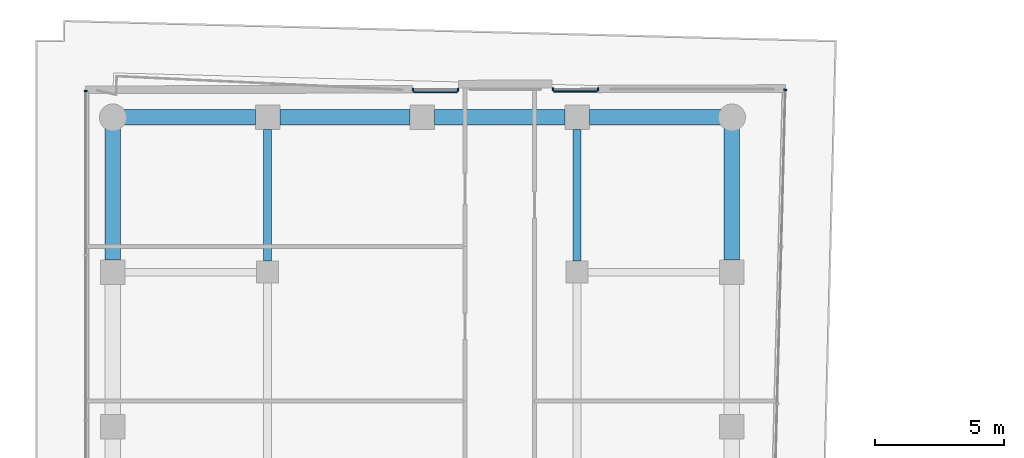
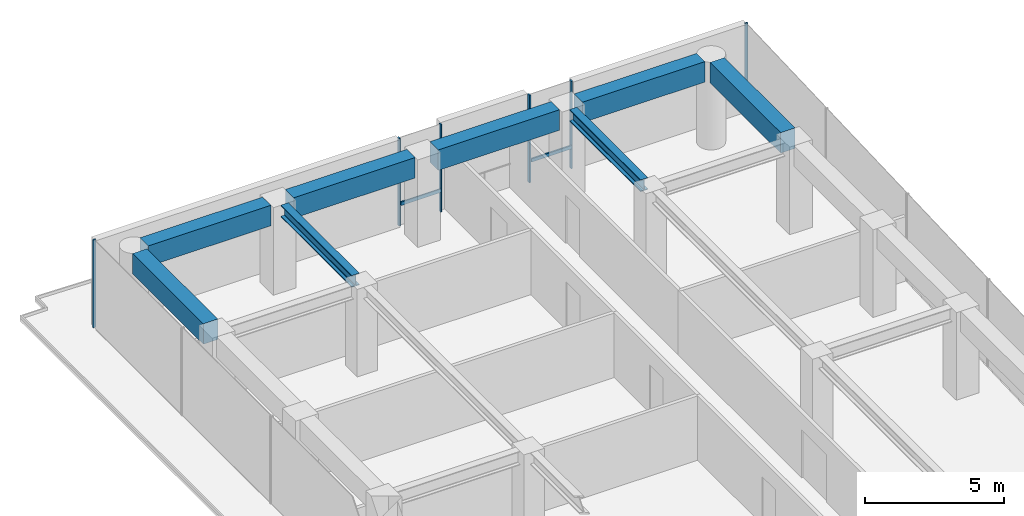
# One storey, part 21 of 28: 8 beams, 8 members, 4 elements without a shape of their own.
"""IFC4 building model written with IfcOpenShell, lengths in metres."""

from ifc_helpers import new_model, si_unit, direction, frame, origin, origin_2d, place, context, subcontext, project, spatial, rectangle, i_section, extrude, material, layer, layer_set, material_profile, profile_set, type_object, element, aggregate, save


model = new_model("IFC4")

# Units and contexts
model_context = context("Model", 3, precision=1e-05, world=origin(), true_north=direction((0.0, 1.0)))
body_context = subcontext(model_context, "Body", "Model", "MODEL_VIEW")
ifc_project = project(units=[si_unit("LENGTHUNIT", "METRE"), si_unit("AREAUNIT", "SQUARE_METRE"), si_unit("VOLUMEUNIT", "CUBIC_METRE"), si_unit("PLANEANGLEUNIT", "RADIAN"), si_unit("MASSUNIT", "GRAM", prefix="KILO")], contexts=[model_context])

# Site, building, storey
site_placement = place(None, origin())
site = spatial("IfcSite", under=ifc_project, at=site_placement, CompositionType="ELEMENT")
building_placement = place(site_placement, origin())
building = spatial("IfcBuilding", under=site, at=building_placement, Name="Welwitschia Terrace Campus", CompositionType="ELEMENT")
storey_placement = place(building_placement, frame((0.0, 0.0, 45.800048828125)))
storey = spatial("IfcBuildingStorey", under=building, at=storey_placement, Name="L10", CompositionType="ELEMENT", Elevation=45.800048828125)

# Beams
ifc_material_1 = material(Name="Steel S355", Category="steel")
ifc_material_profile_1 = material_profile(ifc_material_1, i_section(OverallWidth=0.305908203125, OverallDepth=0.52392578125, WebThickness=0.02099609375, FlangeThickness=0.0400390625, FilletRadius=0.027099609375, at=origin_2d()))
ifc_profile_set_1 = profile_set([ifc_material_profile_1], Name="Steel S355")
beam_type_1 = type_object("IfcBeamType", Name="Interior girder HE 500 M", PredefinedType="BEAM", material=ifc_profile_set_1)
for number, where, z_axis, x_axis, name in (
    (1, (6.0, 56.425537109375, 3.587890625), (0.0, 1.0, 0.0), (-1.0, 0.0, 0.0), "Girder GB2"),
    (2, (18.0, 56.425537109375, 3.587890625), (0.0, 1.0, 0.0), (-1.0, 0.0, 0.0), "Girder GB2"),
):
    element("IfcBeam", number, at=place(storey_placement, frame(where, z_axis=z_axis, x_axis=x_axis)), inside=storey, type_object=beam_type_1, Name=name, PredefinedType="BEAM", context=body_context, shape_type="SweptSolid", body=[
        extrude(i_section(OverallWidth=0.305908203125, OverallDepth=0.52392578125, WebThickness=0.02099609375, FlangeThickness=0.0400390625, FilletRadius=0.027099609375, at=origin_2d()), origin(), (0.0, 0.0, 1.0), 5.10888671875),
    ])

# Curtain wall, member
ifc_material_2 = material(Name="Bronze anodised aluminium", Category="aluminium")
ifc_layer = layer(ifc_material_2, 0.1201171875)
ifc_layer_set = layer_set([ifc_layer], Name="Bronze anodised aluminium")
curtain_wall_type = type_object("IfcCurtainWallType", Name="Curtain wall CW2 tower 6000", PredefinedType="NOTDEFINED", material=ifc_layer_set)
curtain_wall_1_placement = place(storey_placement, origin())
curtain_wall_1 = element("IfcCurtainWall", 3, at=curtain_wall_1_placement, inside=storey, type_object=curtain_wall_type, Name="CW L10.9.0", PredefinedType="NOTDEFINED")
ifc_material_3 = material(Name="Bronze anodised aluminium", Category="aluminium")
ifc_material_profile_2 = material_profile(ifc_material_3, rectangle(XDim=0.1201171875, YDim=0.06005859375, at=origin_2d()))
ifc_profile_set_2 = profile_set([ifc_material_profile_2], Name="Bronze anodised aluminium")
member_type_1 = type_object("IfcMemberType", Name="Mullion 60x120", PredefinedType="MULLION", material=ifc_profile_set_2)
member_1_placement = place(storey_placement, frame((26.072998046875, 63.072509765625, 0.0), z_axis=(0.0, 0.0, 1.0), x_axis=(-0.999657324976, 0.026176948308, 0.0)))
member_1 = element("IfcMember", 4, at=member_1_placement, type_object=member_type_1, Name="Mullion L10.9.0.6", PredefinedType="MULLION", context=body_context, shape_type="SweptSolid", body=[
    extrude(rectangle(XDim=0.1201171875, YDim=0.06005859375, at=origin_2d()), origin(), (0.0, 0.0, 1.0), 3.849853515625),
])
aggregate(curtain_wall_1, [member_1])

# Curtain wall, members
curtain_wall_2_placement = place(storey_placement, origin())
curtain_wall_2 = element("IfcCurtainWall", 5, at=curtain_wall_2_placement, inside=storey, type_object=curtain_wall_type, Name="CW L10.10.S0", PredefinedType="NOTDEFINED")
member_2_placement = place(storey_placement, frame((18.80419921875, 63.090087890625, 0.0), z_axis=(0.0, 0.0, 1.0), x_axis=(0.001706245528, -0.999998544362, 0.0)))
member_2 = element("IfcMember", 6, at=member_2_placement, type_object=member_type_1, Name="Mullion L10.10.S0.0", PredefinedType="MULLION", context=body_context, shape_type="SweptSolid", body=[
    extrude(rectangle(XDim=0.1201171875, YDim=0.06005859375, at=origin_2d()), origin(), (0.0, 0.0, 1.0), 3.849853515625),
])
member_3_placement = place(storey_placement, frame((17.064208984375, 63.087158203125, 0.0), z_axis=(0.0, 0.0, 1.0), x_axis=(0.001706245528, -0.999998544362, 0.0)))
member_3 = element("IfcMember", 7, at=member_3_placement, type_object=member_type_1, Name="Mullion L10.10.S0.1", PredefinedType="MULLION", context=body_context, shape_type="SweptSolid", body=[
    extrude(rectangle(XDim=0.1201171875, YDim=0.06005859375, at=origin_2d()), origin(), (0.0, 0.0, 1.0), 3.849853515625),
])

curtain_wall_3_placement = place(storey_placement, origin())
curtain_wall_3 = element("IfcCurtainWall", 8, at=curtain_wall_3_placement, inside=storey, type_object=curtain_wall_type, Name="CW L10.10.S1", PredefinedType="NOTDEFINED")
member_4_placement = place(storey_placement, frame((13.3779296875, 63.080810546875, 0.0), z_axis=(0.0, 0.0, 1.0), x_axis=(0.001706245528, -0.999998544362, 0.0)))
member_4 = element("IfcMember", 9, at=member_4_placement, type_object=member_type_1, Name="Mullion L10.10.S1.0", PredefinedType="MULLION", context=body_context, shape_type="SweptSolid", body=[
    extrude(rectangle(XDim=0.1201171875, YDim=0.06005859375, at=origin_2d()), origin(), (0.0, 0.0, 1.0), 3.849853515625),
])
member_5_placement = place(storey_placement, frame((11.637939453125, 63.077880859375, 0.0), z_axis=(0.0, 0.0, 1.0), x_axis=(0.001706245528, -0.999998544362, 0.0)))
member_5 = element("IfcMember", 10, at=member_5_placement, type_object=member_type_1, Name="Mullion L10.10.S1.1", PredefinedType="MULLION", context=body_context, shape_type="SweptSolid", body=[
    extrude(rectangle(XDim=0.1201171875, YDim=0.06005859375, at=origin_2d()), origin(), (0.0, 0.0, 1.0), 3.849853515625),
])

# Curtain wall, member
curtain_wall_4_placement = place(storey_placement, origin())
curtain_wall_4 = element("IfcCurtainWall", 11, at=curtain_wall_4_placement, inside=storey, type_object=curtain_wall_type, Name="CW L10.11.0", PredefinedType="NOTDEFINED")
member_6_placement = place(storey_placement, frame((-1.05810546875, 63.0263671875, 0.0), z_axis=(0.0, 0.0, 1.0), x_axis=(1.0, 0.0, 0.0)))
member_6 = element("IfcMember", 12, at=member_6_placement, type_object=member_type_1, Name="Mullion L10.11.0.0", PredefinedType="MULLION", context=body_context, shape_type="SweptSolid", body=[
    extrude(rectangle(XDim=0.1201171875, YDim=0.06005859375, at=origin_2d()), origin(), (0.0, 0.0, 1.0), 3.849853515625),
])
aggregate(curtain_wall_4, [member_6])

# Beams
ifc_material_4 = material(Name="Concrete C60/75", Category="concrete")
ifc_material_profile_3 = material_profile(ifc_material_4, rectangle(XDim=0.60009765625, YDim=0.89990234375, at=origin_2d()))
ifc_profile_set_3 = profile_set([ifc_material_profile_3], Name="Concrete C60/75")
beam_type_2 = type_object("IfcBeamType", Name="Ring spandrel 600x900", PredefinedType="SPANDREL", material=ifc_profile_set_3)
for number, where, z_axis, x_axis, name in (
    (13, (24.0, 56.4755859375, 3.39990234375), (0.0, 1.0, 0.0), (-1.0, 0.0, 0.0), "Spandrel SP2"),
    (14, (23.568603515625, 62.0, 3.39990234375), (-1.0, 0.0, 0.0), (0.0, -1.0, 0.0), "Spandrel SP2"),
):
    element("IfcBeam", number, at=place(storey_placement, frame(where, z_axis=z_axis, x_axis=x_axis)), inside=storey, type_object=beam_type_2, Name=name, PredefinedType="SPANDREL", context=body_context, shape_type="SweptSolid", body=[
        extrude(rectangle(XDim=0.60009765625, YDim=0.89990234375, at=origin_2d()), origin(), (0.0, 0.0, 1.0), 5.093017578125),
    ])
for number, where, z_axis, x_axis, name in (
    (15, (17.5244140625, 62.0, 3.39990234375), (-1.0, 0.0, 0.0), (0.0, -1.0, 0.0), "Spandrel SP2"),
    (16, (11.5244140625, 62.0, 3.39990234375), (-1.0, 0.0, 0.0), (0.0, -1.0, 0.0), "Spandrel SP2"),
):
    element("IfcBeam", number, at=place(storey_placement, frame(where, z_axis=z_axis, x_axis=x_axis)), inside=storey, type_object=beam_type_2, Name=name, PredefinedType="SPANDREL", context=body_context, shape_type="SweptSolid", body=[
        extrude(rectangle(XDim=0.60009765625, YDim=0.89990234375, at=origin_2d()), origin(), (0.0, 0.0, 1.0), 5.048828125),
    ])
for number, where, z_axis, x_axis, name in (
    (17, (5.5244140625, 62.0, 3.39990234375), (-1.0, 0.0, 0.0), (0.0, -1.0, 0.0), "Spandrel SP2"),
    (18, (0.0, 61.568603515625, 3.39990234375), (0.0, -1.0, 0.0), (1.0, 0.0, 0.0), "Spandrel SP2"),
):
    element("IfcBeam", number, at=place(storey_placement, frame(where, z_axis=z_axis, x_axis=x_axis)), inside=storey, type_object=beam_type_2, Name=name, PredefinedType="SPANDREL", context=body_context, shape_type="SweptSolid", body=[
        extrude(rectangle(XDim=0.60009765625, YDim=0.89990234375, at=origin_2d()), origin(), (0.0, 0.0, 1.0), 5.093017578125),
    ])

# Member
ifc_material_5 = material(Name="Bronze anodised aluminium", Category="aluminium")
ifc_material_profile_4 = material_profile(ifc_material_5, rectangle(XDim=0.06005859375, YDim=0.14990234375, at=origin_2d()))
ifc_profile_set_4 = profile_set([ifc_material_profile_4], Name="Bronze anodised aluminium")
member_type_2 = type_object("IfcMemberType", Name="Transom 60x150", PredefinedType="USERDEFINED", material=ifc_profile_set_4)
member_7_placement = place(storey_placement, frame((18.7744140625, 63.000244140625, 1.0), z_axis=(-0.999998479795, -0.001743676512, 0.0), x_axis=(0.001743676512, -0.999998479795, 0.0)))
member_7 = element("IfcMember", 19, at=member_7_placement, type_object=member_type_2, Name="Transom L10.10.S0", ObjectType="TRANSOM", PredefinedType="USERDEFINED", context=body_context, shape_type="SweptSolid", body=[
    extrude(rectangle(XDim=0.06005859375, YDim=0.14990234375, at=origin_2d()), origin(), (0.0, 0.0, 1.0), 1.68017578125),
])

aggregate(curtain_wall_2, [member_2, member_3, member_7])

member_8_placement = place(storey_placement, frame((13.347900390625, 62.990966796875, 1.0), z_axis=(-0.999998479353, -0.001743929916, 0.0), x_axis=(0.001743929916, -0.999998479353, 0.0)))
member_8 = element("IfcMember", 20, at=member_8_placement, type_object=member_type_2, Name="Transom L10.10.S1", ObjectType="TRANSOM", PredefinedType="USERDEFINED", context=body_context, shape_type="SweptSolid", body=[
    extrude(rectangle(XDim=0.06005859375, YDim=0.14990234375, at=origin_2d()), origin(), (0.0, 0.0, 1.0), 1.679931640625),
])

aggregate(curtain_wall_3, [member_4, member_5, member_8])

save(model, "model.ifc")
